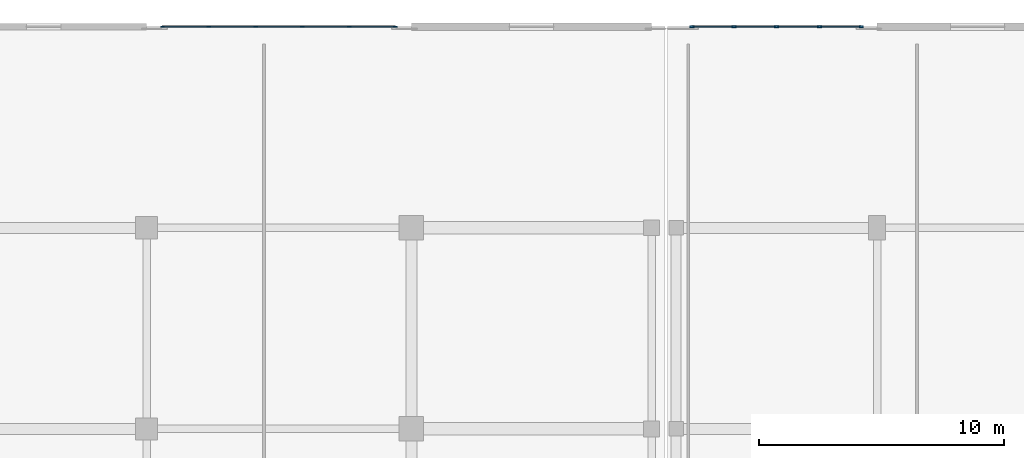
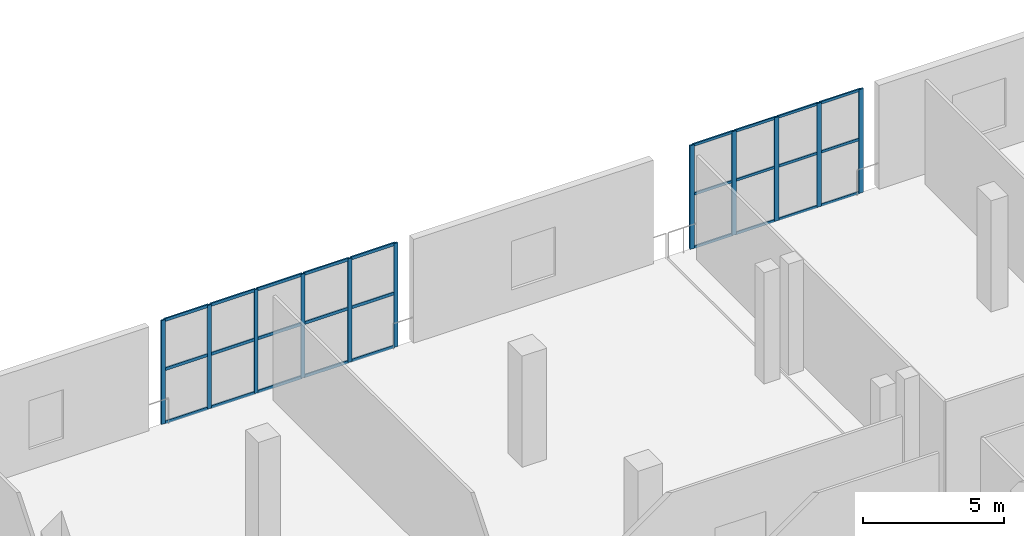
# One storey, part 57 of 129: 38 members, 2 elements without a shape of their own.
"""IFC4 building model written with IfcOpenShell, lengths in metres."""

from ifc_helpers import new_model, si_unit, direction, frame, origin, origin_2d, place, context, subcontext, project, spatial, rectangle, extrude, material, material_profile, profile_set, type_object, element, aggregate, save


model = new_model("IFC4")

# Units and contexts
model_context = context("Model", 3, precision=1e-05, world=origin(), true_north=direction((0.0, 1.0)))
body_context = subcontext(model_context, "Body", "Model", "MODEL_VIEW")
ifc_project = project(units=[si_unit("LENGTHUNIT", "METRE"), si_unit("AREAUNIT", "SQUARE_METRE"), si_unit("VOLUMEUNIT", "CUBIC_METRE"), si_unit("PLANEANGLEUNIT", "RADIAN"), si_unit("MASSUNIT", "GRAM", prefix="KILO")], contexts=[model_context])

# Site, building, storey
site_placement = place(None, origin())
site = spatial("IfcSite", under=ifc_project, at=site_placement, CompositionType="ELEMENT")
building_placement = place(site_placement, origin())
building = spatial("IfcBuilding", under=site, at=building_placement, Name="Koshinbarg Plaza Stadium", CompositionType="ELEMENT")
storey_placement = place(building_placement, frame((0.0, 0.0, 5.39990234375)))
storey = spatial("IfcBuildingStorey", under=building, at=storey_placement, Name="L01", CompositionType="ELEMENT", Elevation=5.39990234375)

# Curtain wall, members
ifc_material_1 = material(Name="Thermally broken anodised aluminium and low-E double glazing", Category="aluminium")
curtain_wall_type_1 = type_object("IfcCurtainWallType", Name="CW-SYS-02", PredefinedType="NOTDEFINED", material=ifc_material_1)
curtain_wall_1_placement = place(storey_placement, origin())
curtain_wall_1 = element("IfcCurtainWall", 1, at=curtain_wall_1_placement, inside=storey, type_object=curtain_wall_type_1, Name="L01 unitised curtain wall CW-L01-017", PredefinedType="NOTDEFINED")
ifc_material_2 = material(Name="Anodised aluminium mullion", Category="aluminium")
ifc_material_profile_1 = material_profile(ifc_material_2, rectangle(XDim=0.06005859375, YDim=0.159912109375, at=origin_2d()), Name="ALU 60x160")
ifc_profile_set_1 = profile_set([ifc_material_profile_1], Name="Anodised aluminium mullion")
member_type_1 = type_object("IfcMemberType", Name="CW-MUL-02", PredefinedType="MULLION", material=ifc_profile_set_1)
member_1_placement = place(storey_placement, frame((198.449951171875, 152.0, 0.0), z_axis=(0.0, 0.0, 1.0), x_axis=(0.0, 1.0, 0.0)))
member_1 = element("IfcMember", 2, at=member_1_placement, type_object=member_type_1, Name="CW02 mullion 1", PredefinedType="MULLION", context=body_context, shape_type="SweptSolid", body=[
    extrude(rectangle(XDim=0.06005859375, YDim=0.159912109375, at=origin_2d()), origin(), (0.0, 0.0, 1.0), 4.47998046875),
])
member_2_placement = place(storey_placement, frame((200.33203125, 152.0, 0.0), z_axis=(0.0, 0.0, 1.0), x_axis=(0.0, 1.0, 0.0)))
member_2 = element("IfcMember", 3, at=member_2_placement, type_object=member_type_1, Name="CW02 mullion 2", PredefinedType="MULLION", context=body_context, shape_type="SweptSolid", body=[
    extrude(rectangle(XDim=0.06005859375, YDim=0.159912109375, at=origin_2d()), origin(), (0.0, 0.0, 1.0), 4.47998046875),
])
member_3_placement = place(storey_placement, frame((202.243896484375, 152.0, 0.0), z_axis=(0.0, 0.0, 1.0), x_axis=(0.0, 1.0, 0.0)))
member_3 = element("IfcMember", 4, at=member_3_placement, type_object=member_type_1, Name="CW02 mullion 3", PredefinedType="MULLION", context=body_context, shape_type="SweptSolid", body=[
    extrude(rectangle(XDim=0.06005859375, YDim=0.159912109375, at=origin_2d()), origin(), (0.0, 0.0, 1.0), 4.47998046875),
])
member_4_placement = place(storey_placement, frame((204.156005859375, 152.0, 0.0), z_axis=(0.0, 0.0, 1.0), x_axis=(0.0, 1.0, 0.0)))
member_4 = element("IfcMember", 5, at=member_4_placement, type_object=member_type_1, Name="CW02 mullion 4", PredefinedType="MULLION", context=body_context, shape_type="SweptSolid", body=[
    extrude(rectangle(XDim=0.06005859375, YDim=0.159912109375, at=origin_2d()), origin(), (0.0, 0.0, 1.0), 4.47998046875),
])
member_5_placement = place(storey_placement, frame((206.068115234375, 152.0, 0.0), z_axis=(0.0, 0.0, 1.0), x_axis=(0.0, 1.0, 0.0)))
member_5 = element("IfcMember", 6, at=member_5_placement, type_object=member_type_1, Name="CW02 mullion 5", PredefinedType="MULLION", context=body_context, shape_type="SweptSolid", body=[
    extrude(rectangle(XDim=0.06005859375, YDim=0.159912109375, at=origin_2d()), origin(), (0.0, 0.0, 1.0), 4.47998046875),
])
member_6_placement = place(storey_placement, frame((207.949951171875, 152.0, 0.0), z_axis=(0.0, 0.0, 1.0), x_axis=(0.0, 1.0, 0.0)))
member_6 = element("IfcMember", 7, at=member_6_placement, type_object=member_type_1, Name="CW02 mullion 6", PredefinedType="MULLION", context=body_context, shape_type="SweptSolid", body=[
    extrude(rectangle(XDim=0.06005859375, YDim=0.159912109375, at=origin_2d()), origin(), (0.0, 0.0, 1.0), 4.47998046875),
])

curtain_wall_type_2 = type_object("IfcCurtainWallType", Name="CW-SYS-03", PredefinedType="NOTDEFINED", material=ifc_material_1)
curtain_wall_2_placement = place(storey_placement, origin())
curtain_wall_2 = element("IfcCurtainWall", 8, at=curtain_wall_2_placement, inside=storey, type_object=curtain_wall_type_2, Name="L01 unitised curtain wall CW-L01-018", PredefinedType="NOTDEFINED")
ifc_material_profile_2 = material_profile(ifc_material_2, rectangle(XDim=0.070068359375, YDim=0.179931640625, at=origin_2d()), Name="ALU 70x180")
ifc_profile_set_2 = profile_set([ifc_material_profile_2], Name="Anodised aluminium mullion")
member_type_2 = type_object("IfcMemberType", Name="CW-MUL-03", PredefinedType="MULLION", material=ifc_profile_set_2)
member_7_placement = place(storey_placement, frame((220.050048828125, 152.0, 0.0), z_axis=(0.0, 0.0, 1.0), x_axis=(0.0, 1.0, 0.0)))
member_7 = element("IfcMember", 9, at=member_7_placement, type_object=member_type_2, Name="CW03 mullion 1", PredefinedType="MULLION", context=body_context, shape_type="SweptSolid", body=[
    extrude(rectangle(XDim=0.070068359375, YDim=0.179931640625, at=origin_2d()), origin(), (0.0, 0.0, 1.0), 4.47998046875),
])
member_8_placement = place(storey_placement, frame((221.760009765625, 152.0, 0.0), z_axis=(0.0, 0.0, 1.0), x_axis=(0.0, 1.0, 0.0)))
member_8 = element("IfcMember", 10, at=member_8_placement, type_object=member_type_2, Name="CW03 mullion 2", PredefinedType="MULLION", context=body_context, shape_type="SweptSolid", body=[
    extrude(rectangle(XDim=0.070068359375, YDim=0.179931640625, at=origin_2d()), origin(), (0.0, 0.0, 1.0), 4.47998046875),
])
member_9_placement = place(storey_placement, frame((223.5, 152.0, 0.0), z_axis=(0.0, 0.0, 1.0), x_axis=(0.0, 1.0, 0.0)))
member_9 = element("IfcMember", 11, at=member_9_placement, type_object=member_type_2, Name="CW03 mullion 3", PredefinedType="MULLION", context=body_context, shape_type="SweptSolid", body=[
    extrude(rectangle(XDim=0.070068359375, YDim=0.179931640625, at=origin_2d()), origin(), (0.0, 0.0, 1.0), 4.47998046875),
])
member_10_placement = place(storey_placement, frame((225.239990234375, 152.0, 0.0), z_axis=(0.0, 0.0, 1.0), x_axis=(0.0, 1.0, 0.0)))
member_10 = element("IfcMember", 12, at=member_10_placement, type_object=member_type_2, Name="CW03 mullion 4", PredefinedType="MULLION", context=body_context, shape_type="SweptSolid", body=[
    extrude(rectangle(XDim=0.070068359375, YDim=0.179931640625, at=origin_2d()), origin(), (0.0, 0.0, 1.0), 4.47998046875),
])
member_11_placement = place(storey_placement, frame((226.949951171875, 152.0, 0.0), z_axis=(0.0, 0.0, 1.0), x_axis=(0.0, 1.0, 0.0)))
member_11 = element("IfcMember", 13, at=member_11_placement, type_object=member_type_2, Name="CW03 mullion 5", PredefinedType="MULLION", context=body_context, shape_type="SweptSolid", body=[
    extrude(rectangle(XDim=0.070068359375, YDim=0.179931640625, at=origin_2d()), origin(), (0.0, 0.0, 1.0), 4.47998046875),
])
ifc_material_3 = material(Name="Anodised aluminium transom", Category="aluminium")
ifc_material_profile_3 = material_profile(ifc_material_3, rectangle(XDim=0.06005859375, YDim=0.110107421875, at=origin_2d()), Name="ALU 60x110")
ifc_profile_set_3 = profile_set([ifc_material_profile_3], Name="Anodised aluminium transom")
member_type_3 = type_object("IfcMemberType", Name="CW-TRN-01", PredefinedType="USERDEFINED", material=ifc_profile_set_3)
member_12_placement = place(storey_placement, frame((220.080078125, 152.0, 0.030029296875), z_axis=(1.0, 0.0, 0.0), x_axis=(0.0, 1.0, 0.0)))
member_12 = element("IfcMember", 14, at=member_12_placement, type_object=member_type_3, Name="CW03 transom 1.1", ObjectType="TRANSOM", PredefinedType="USERDEFINED", context=body_context, shape_type="SweptSolid", body=[
    extrude(rectangle(XDim=0.06005859375, YDim=0.110107421875, at=origin_2d()), origin(), (0.0, 0.0, 1.0), 1.64990234375),
])
member_13_placement = place(storey_placement, frame((220.080078125, 152.0, 2.32958984375), z_axis=(1.0, 0.0, 0.0), x_axis=(0.0, 1.0, 0.0)))
member_13 = element("IfcMember", 15, at=member_13_placement, type_object=member_type_3, Name="CW03 transom 1.2", ObjectType="TRANSOM", PredefinedType="USERDEFINED", context=body_context, shape_type="SweptSolid", body=[
    extrude(rectangle(XDim=0.06005859375, YDim=0.110107421875, at=origin_2d()), origin(), (0.0, 0.0, 1.0), 1.64990234375),
])
member_14_placement = place(storey_placement, frame((220.080078125, 152.0, 4.4501953125), z_axis=(1.0, 0.0, 0.0), x_axis=(0.0, 1.0, 0.0)))
member_14 = element("IfcMember", 16, at=member_14_placement, type_object=member_type_3, Name="CW03 transom 1.3", ObjectType="TRANSOM", PredefinedType="USERDEFINED", context=body_context, shape_type="SweptSolid", body=[
    extrude(rectangle(XDim=0.06005859375, YDim=0.110107421875, at=origin_2d()), origin(), (0.0, 0.0, 1.0), 1.64990234375),
])
member_15_placement = place(storey_placement, frame((221.7900390625, 152.0, 0.030029296875), z_axis=(1.0, 0.0, 0.0), x_axis=(0.0, 1.0, 0.0)))
member_15 = element("IfcMember", 17, at=member_15_placement, type_object=member_type_3, Name="CW03 transom 2.1", ObjectType="TRANSOM", PredefinedType="USERDEFINED", context=body_context, shape_type="SweptSolid", body=[
    extrude(rectangle(XDim=0.06005859375, YDim=0.110107421875, at=origin_2d()), origin(), (0.0, 0.0, 1.0), 1.679931640625),
])
member_16_placement = place(storey_placement, frame((221.7900390625, 152.0, 2.32958984375), z_axis=(1.0, 0.0, 0.0), x_axis=(0.0, 1.0, 0.0)))
member_16 = element("IfcMember", 18, at=member_16_placement, type_object=member_type_3, Name="CW03 transom 2.2", ObjectType="TRANSOM", PredefinedType="USERDEFINED", context=body_context, shape_type="SweptSolid", body=[
    extrude(rectangle(XDim=0.06005859375, YDim=0.110107421875, at=origin_2d()), origin(), (0.0, 0.0, 1.0), 1.679931640625),
])
member_17_placement = place(storey_placement, frame((221.7900390625, 152.0, 4.4501953125), z_axis=(1.0, 0.0, 0.0), x_axis=(0.0, 1.0, 0.0)))
member_17 = element("IfcMember", 19, at=member_17_placement, type_object=member_type_3, Name="CW03 transom 2.3", ObjectType="TRANSOM", PredefinedType="USERDEFINED", context=body_context, shape_type="SweptSolid", body=[
    extrude(rectangle(XDim=0.06005859375, YDim=0.110107421875, at=origin_2d()), origin(), (0.0, 0.0, 1.0), 1.679931640625),
])
member_18_placement = place(storey_placement, frame((223.530029296875, 152.0, 0.030029296875), z_axis=(1.0, 0.0, 0.0), x_axis=(0.0, 1.0, 0.0)))
member_18 = element("IfcMember", 20, at=member_18_placement, type_object=member_type_3, Name="CW03 transom 3.1", ObjectType="TRANSOM", PredefinedType="USERDEFINED", context=body_context, shape_type="SweptSolid", body=[
    extrude(rectangle(XDim=0.06005859375, YDim=0.110107421875, at=origin_2d()), origin(), (0.0, 0.0, 1.0), 1.679931640625),
])
member_19_placement = place(storey_placement, frame((223.530029296875, 152.0, 2.32958984375), z_axis=(1.0, 0.0, 0.0), x_axis=(0.0, 1.0, 0.0)))
member_19 = element("IfcMember", 21, at=member_19_placement, type_object=member_type_3, Name="CW03 transom 3.2", ObjectType="TRANSOM", PredefinedType="USERDEFINED", context=body_context, shape_type="SweptSolid", body=[
    extrude(rectangle(XDim=0.06005859375, YDim=0.110107421875, at=origin_2d()), origin(), (0.0, 0.0, 1.0), 1.679931640625),
])
member_20_placement = place(storey_placement, frame((223.530029296875, 152.0, 4.4501953125), z_axis=(1.0, 0.0, 0.0), x_axis=(0.0, 1.0, 0.0)))
member_20 = element("IfcMember", 22, at=member_20_placement, type_object=member_type_3, Name="CW03 transom 3.3", ObjectType="TRANSOM", PredefinedType="USERDEFINED", context=body_context, shape_type="SweptSolid", body=[
    extrude(rectangle(XDim=0.06005859375, YDim=0.110107421875, at=origin_2d()), origin(), (0.0, 0.0, 1.0), 1.679931640625),
])
member_21_placement = place(storey_placement, frame((225.27001953125, 152.0, 0.030029296875), z_axis=(1.0, 0.0, 0.0), x_axis=(0.0, 1.0, 0.0)))
member_21 = element("IfcMember", 23, at=member_21_placement, type_object=member_type_3, Name="CW03 transom 4.1", ObjectType="TRANSOM", PredefinedType="USERDEFINED", context=body_context, shape_type="SweptSolid", body=[
    extrude(rectangle(XDim=0.06005859375, YDim=0.110107421875, at=origin_2d()), origin(), (0.0, 0.0, 1.0), 1.64990234375),
])
member_22_placement = place(storey_placement, frame((225.27001953125, 152.0, 2.32958984375), z_axis=(1.0, 0.0, 0.0), x_axis=(0.0, 1.0, 0.0)))
member_22 = element("IfcMember", 24, at=member_22_placement, type_object=member_type_3, Name="CW03 transom 4.2", ObjectType="TRANSOM", PredefinedType="USERDEFINED", context=body_context, shape_type="SweptSolid", body=[
    extrude(rectangle(XDim=0.06005859375, YDim=0.110107421875, at=origin_2d()), origin(), (0.0, 0.0, 1.0), 1.64990234375),
])
member_23_placement = place(storey_placement, frame((225.27001953125, 152.0, 4.4501953125), z_axis=(1.0, 0.0, 0.0), x_axis=(0.0, 1.0, 0.0)))
member_23 = element("IfcMember", 25, at=member_23_placement, type_object=member_type_3, Name="CW03 transom 4.3", ObjectType="TRANSOM", PredefinedType="USERDEFINED", context=body_context, shape_type="SweptSolid", body=[
    extrude(rectangle(XDim=0.06005859375, YDim=0.110107421875, at=origin_2d()), origin(), (0.0, 0.0, 1.0), 1.64990234375),
])
aggregate(curtain_wall_2, [member_7, member_8, member_9, member_10, member_11, member_12, member_13, member_14, member_15, member_16, member_17, member_18, member_19, member_20, member_21, member_22, member_23])

# Member
ifc_material_profile_4 = material_profile(ifc_material_3, rectangle(XDim=0.06005859375, YDim=0.1298828125, at=origin_2d()), Name="ALU 60x130")
ifc_profile_set_4 = profile_set([ifc_material_profile_4], Name="Anodised aluminium transom")
member_type_4 = type_object("IfcMemberType", Name="CW-TRN-02", PredefinedType="USERDEFINED", material=ifc_profile_set_4)
member_24_placement = place(storey_placement, frame((198.47998046875, 152.0, 0.030029296875), z_axis=(1.0, 0.0, 0.0), x_axis=(0.0, 1.0, 0.0)))
member_24 = element("IfcMember", 26, at=member_24_placement, type_object=member_type_4, Name="CW02 transom 1.1", ObjectType="TRANSOM", PredefinedType="USERDEFINED", context=body_context, shape_type="SweptSolid", body=[
    extrude(rectangle(XDim=0.06005859375, YDim=0.1298828125, at=origin_2d()), origin(), (0.0, 0.0, 1.0), 1.822021484375),
])

member_25_placement = place(storey_placement, frame((198.47998046875, 152.0, 2.32958984375), z_axis=(1.0, 0.0, 0.0), x_axis=(0.0, 1.0, 0.0)))
member_25 = element("IfcMember", 27, at=member_25_placement, type_object=member_type_4, Name="CW02 transom 1.2", ObjectType="TRANSOM", PredefinedType="USERDEFINED", context=body_context, shape_type="SweptSolid", body=[
    extrude(rectangle(XDim=0.06005859375, YDim=0.1298828125, at=origin_2d()), origin(), (0.0, 0.0, 1.0), 1.822021484375),
])

member_26_placement = place(storey_placement, frame((198.47998046875, 152.0, 4.4501953125), z_axis=(1.0, 0.0, 0.0), x_axis=(0.0, 1.0, 0.0)))
member_26 = element("IfcMember", 28, at=member_26_placement, type_object=member_type_4, Name="CW02 transom 1.3", ObjectType="TRANSOM", PredefinedType="USERDEFINED", context=body_context, shape_type="SweptSolid", body=[
    extrude(rectangle(XDim=0.06005859375, YDim=0.1298828125, at=origin_2d()), origin(), (0.0, 0.0, 1.0), 1.822021484375),
])

member_27_placement = place(storey_placement, frame((200.362060546875, 152.0, 0.030029296875), z_axis=(1.0, 0.0, 0.0), x_axis=(0.0, 1.0, 0.0)))
member_27 = element("IfcMember", 29, at=member_27_placement, type_object=member_type_4, Name="CW02 transom 2.1", ObjectType="TRANSOM", PredefinedType="USERDEFINED", context=body_context, shape_type="SweptSolid", body=[
    extrude(rectangle(XDim=0.06005859375, YDim=0.1298828125, at=origin_2d()), origin(), (0.0, 0.0, 1.0), 1.85205078125),
])

member_28_placement = place(storey_placement, frame((200.362060546875, 152.0, 2.32958984375), z_axis=(1.0, 0.0, 0.0), x_axis=(0.0, 1.0, 0.0)))
member_28 = element("IfcMember", 30, at=member_28_placement, type_object=member_type_4, Name="CW02 transom 2.2", ObjectType="TRANSOM", PredefinedType="USERDEFINED", context=body_context, shape_type="SweptSolid", body=[
    extrude(rectangle(XDim=0.06005859375, YDim=0.1298828125, at=origin_2d()), origin(), (0.0, 0.0, 1.0), 1.85205078125),
])

member_29_placement = place(storey_placement, frame((200.362060546875, 152.0, 4.4501953125), z_axis=(1.0, 0.0, 0.0), x_axis=(0.0, 1.0, 0.0)))
member_29 = element("IfcMember", 31, at=member_29_placement, type_object=member_type_4, Name="CW02 transom 2.3", ObjectType="TRANSOM", PredefinedType="USERDEFINED", context=body_context, shape_type="SweptSolid", body=[
    extrude(rectangle(XDim=0.06005859375, YDim=0.1298828125, at=origin_2d()), origin(), (0.0, 0.0, 1.0), 1.85205078125),
])

member_30_placement = place(storey_placement, frame((202.27392578125, 152.0, 0.030029296875), z_axis=(1.0, 0.0, 0.0), x_axis=(0.0, 1.0, 0.0)))
member_30 = element("IfcMember", 32, at=member_30_placement, type_object=member_type_4, Name="CW02 transom 3.1", ObjectType="TRANSOM", PredefinedType="USERDEFINED", context=body_context, shape_type="SweptSolid", body=[
    extrude(rectangle(XDim=0.06005859375, YDim=0.1298828125, at=origin_2d()), origin(), (0.0, 0.0, 1.0), 1.85205078125),
])

member_31_placement = place(storey_placement, frame((202.27392578125, 152.0, 2.32958984375), z_axis=(1.0, 0.0, 0.0), x_axis=(0.0, 1.0, 0.0)))
member_31 = element("IfcMember", 33, at=member_31_placement, type_object=member_type_4, Name="CW02 transom 3.2", ObjectType="TRANSOM", PredefinedType="USERDEFINED", context=body_context, shape_type="SweptSolid", body=[
    extrude(rectangle(XDim=0.06005859375, YDim=0.1298828125, at=origin_2d()), origin(), (0.0, 0.0, 1.0), 1.85205078125),
])

member_32_placement = place(storey_placement, frame((202.27392578125, 152.0, 4.4501953125), z_axis=(1.0, 0.0, 0.0), x_axis=(0.0, 1.0, 0.0)))
member_32 = element("IfcMember", 34, at=member_32_placement, type_object=member_type_4, Name="CW02 transom 3.3", ObjectType="TRANSOM", PredefinedType="USERDEFINED", context=body_context, shape_type="SweptSolid", body=[
    extrude(rectangle(XDim=0.06005859375, YDim=0.1298828125, at=origin_2d()), origin(), (0.0, 0.0, 1.0), 1.85205078125),
])

member_33_placement = place(storey_placement, frame((204.18603515625, 152.0, 0.030029296875), z_axis=(1.0, 0.0, 0.0), x_axis=(0.0, 1.0, 0.0)))
member_33 = element("IfcMember", 35, at=member_33_placement, type_object=member_type_4, Name="CW02 transom 4.1", ObjectType="TRANSOM", PredefinedType="USERDEFINED", context=body_context, shape_type="SweptSolid", body=[
    extrude(rectangle(XDim=0.06005859375, YDim=0.1298828125, at=origin_2d()), origin(), (0.0, 0.0, 1.0), 1.85205078125),
])

member_34_placement = place(storey_placement, frame((204.18603515625, 152.0, 2.32958984375), z_axis=(1.0, 0.0, 0.0), x_axis=(0.0, 1.0, 0.0)))
member_34 = element("IfcMember", 36, at=member_34_placement, type_object=member_type_4, Name="CW02 transom 4.2", ObjectType="TRANSOM", PredefinedType="USERDEFINED", context=body_context, shape_type="SweptSolid", body=[
    extrude(rectangle(XDim=0.06005859375, YDim=0.1298828125, at=origin_2d()), origin(), (0.0, 0.0, 1.0), 1.85205078125),
])

member_35_placement = place(storey_placement, frame((204.18603515625, 152.0, 4.4501953125), z_axis=(1.0, 0.0, 0.0), x_axis=(0.0, 1.0, 0.0)))
member_35 = element("IfcMember", 37, at=member_35_placement, type_object=member_type_4, Name="CW02 transom 4.3", ObjectType="TRANSOM", PredefinedType="USERDEFINED", context=body_context, shape_type="SweptSolid", body=[
    extrude(rectangle(XDim=0.06005859375, YDim=0.1298828125, at=origin_2d()), origin(), (0.0, 0.0, 1.0), 1.85205078125),
])

member_36_placement = place(storey_placement, frame((206.097900390625, 152.0, 0.030029296875), z_axis=(1.0, 0.0, 0.0), x_axis=(0.0, 1.0, 0.0)))
member_36 = element("IfcMember", 38, at=member_36_placement, type_object=member_type_4, Name="CW02 transom 5.1", ObjectType="TRANSOM", PredefinedType="USERDEFINED", context=body_context, shape_type="SweptSolid", body=[
    extrude(rectangle(XDim=0.06005859375, YDim=0.1298828125, at=origin_2d()), origin(), (0.0, 0.0, 1.0), 1.822021484375),
])

member_37_placement = place(storey_placement, frame((206.097900390625, 152.0, 2.32958984375), z_axis=(1.0, 0.0, 0.0), x_axis=(0.0, 1.0, 0.0)))
member_37 = element("IfcMember", 39, at=member_37_placement, type_object=member_type_4, Name="CW02 transom 5.2", ObjectType="TRANSOM", PredefinedType="USERDEFINED", context=body_context, shape_type="SweptSolid", body=[
    extrude(rectangle(XDim=0.06005859375, YDim=0.1298828125, at=origin_2d()), origin(), (0.0, 0.0, 1.0), 1.822021484375),
])

member_38_placement = place(storey_placement, frame((206.097900390625, 152.0, 4.4501953125), z_axis=(1.0, 0.0, 0.0), x_axis=(0.0, 1.0, 0.0)))
member_38 = element("IfcMember", 40, at=member_38_placement, type_object=member_type_4, Name="CW02 transom 5.3", ObjectType="TRANSOM", PredefinedType="USERDEFINED", context=body_context, shape_type="SweptSolid", body=[
    extrude(rectangle(XDim=0.06005859375, YDim=0.1298828125, at=origin_2d()), origin(), (0.0, 0.0, 1.0), 1.822021484375),
])

aggregate(curtain_wall_1, [member_1, member_2, member_3, member_4, member_5, member_6, member_24, member_25, member_26, member_27, member_28, member_29, member_30, member_31, member_32, member_33, member_34, member_35, member_36, member_37, member_38])

save(model, "model.ifc")
